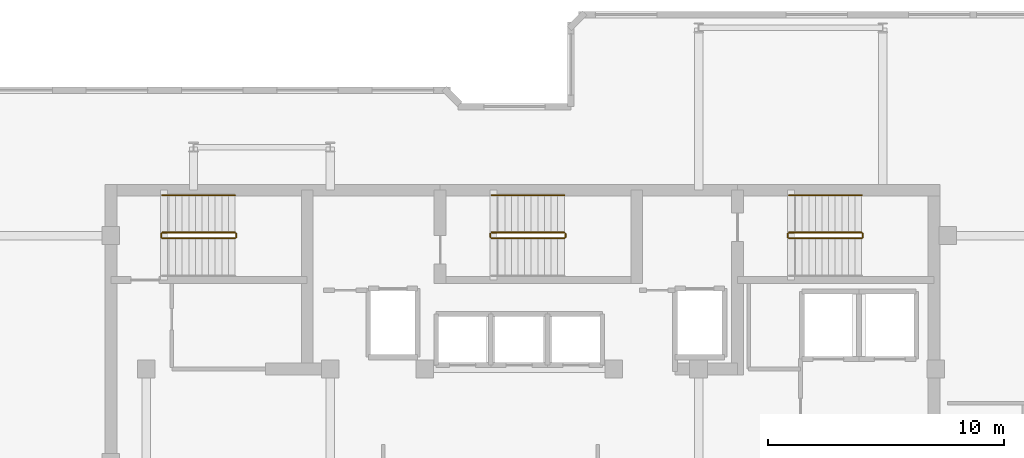
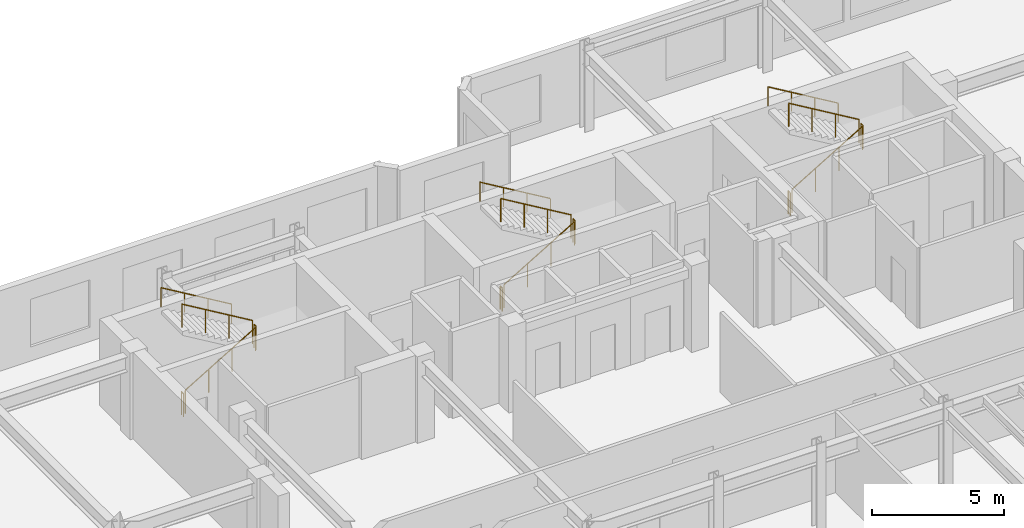
# One storey, part 9 of 9: 15 railings.
"""IFC4 building model written with IfcOpenShell, lengths in metres."""

from ifc_helpers import new_model, si_unit, direction, frame, origin, origin_2d, place, context, subcontext, project, spatial, circle, extrude, material, type_object, element, save


model = new_model("IFC4")

# Units and contexts
model_context = context("Model", 3, precision=1e-05, world=origin(), true_north=direction((0.0, 1.0)))
body_context = subcontext(model_context, "Body", "Model", "MODEL_VIEW")
ifc_project = project(units=[si_unit("LENGTHUNIT", "METRE"), si_unit("AREAUNIT", "SQUARE_METRE"), si_unit("VOLUMEUNIT", "CUBIC_METRE"), si_unit("PLANEANGLEUNIT", "RADIAN"), si_unit("MASSUNIT", "GRAM", prefix="KILO")], contexts=[model_context])

# Site, building, storey
site_placement = place(None, origin())
site = spatial("IfcSite", under=ifc_project, at=site_placement, CompositionType="ELEMENT")
building_placement = place(site_placement, origin())
building = spatial("IfcBuilding", under=site, at=building_placement, Name="Kestravale Grand Hotel", CompositionType="ELEMENT")
storey_placement = place(building_placement, frame((0.0, 0.0, 293.39990234375)))
storey = spatial("IfcBuildingStorey", under=building, at=storey_placement, Name="L73", CompositionType="ELEMENT", Elevation=293.39990234375)

# Railings
ifc_material_1 = material(Name="Painted tubular steel stair well guard", Category="steel")
railing_type_1 = type_object("IfcRailingType", Name="RL-ST-GRD1100", PredefinedType="GUARDRAIL", material=ifc_material_1)
railing_1_placement = place(storey_placement, frame((24.080078125, 38.280029296875, 0.166748046875)))
element("IfcRailing", 1, at=railing_1_placement, inside=storey, type_object=railing_type_1, Name="L73 ST-1 stair guard 1", PredefinedType="GUARDRAIL", context=body_context, shape_type="SweptSolid", body=[
    extrude(circle(Radius=0.02392578125, at=origin_2d()), frame((0.0, 0.0, 1.076171875), z_axis=(0.859290745958, 0.0, 0.51148745235), x_axis=(0.0, 1.0, 0.0)), (0.0, 0.0, 1.0), 3.584228515625),
    extrude(circle(Radius=0.02099609375, at=origin_2d()), origin(), (0.0, 0.0, 1.0), 1.052001953125),
    extrude(circle(Radius=0.02099609375, at=origin_2d()), frame((1.026611328125, 0.0, 0.611083984375)), (0.0, 0.0, 1.0), 1.052001953125),
    extrude(circle(Radius=0.02099609375, at=origin_2d()), frame((2.05322265625, 0.0, 1.22216796875)), (0.0, 0.0, 1.0), 1.052001953125),
    extrude(circle(Radius=0.02099609375, at=origin_2d()), frame((3.079833984375, 0.0, 1.833251953125)), (0.0, 0.0, 1.0), 1.052001953125),
])
railing_2_placement = place(storey_placement, frame((27.2099609375, 38.330078125, 2.0)))
element("IfcRailing", 2, at=railing_2_placement, inside=storey, type_object=railing_type_1, Name="L73 ST-1 stair guard 2", PredefinedType="GUARDRAIL", context=body_context, shape_type="SweptSolid", body=[
    extrude(circle(Radius=0.02392578125, at=origin_2d()), frame((0.0, 0.0, 1.076171875), z_axis=(0.0, 1.0, 0.0), x_axis=(-1.0, 0.0, 0.0)), (0.0, 0.0, 1.0), 0.14990234375),
    extrude(circle(Radius=0.02099609375, at=origin_2d()), origin(), (0.0, 0.0, 1.0), 1.052001953125),
    extrude(circle(Radius=0.02099609375, at=origin_2d()), frame((0.0, 0.14990234375, 0.0)), (0.0, 0.0, 1.0), 1.052001953125),
])
railing_3_placement = place(storey_placement, frame((27.159912109375, 38.530029296875, 2.166748046875)))
element("IfcRailing", 3, at=railing_3_placement, inside=storey, type_object=railing_type_1, Name="L73 ST-1 stair guard 3", PredefinedType="GUARDRAIL", context=body_context, shape_type="SweptSolid", body=[
    extrude(circle(Radius=0.02392578125, at=origin_2d()), frame((0.0, 0.0, 1.076171875), z_axis=(-0.859290745958, 0.0, 0.51148745235), x_axis=(0.0, -1.0, 0.0)), (0.0, 0.0, 1.0), 3.584228515625),
    extrude(circle(Radius=0.02099609375, at=origin_2d()), origin(), (0.0, 0.0, 1.0), 1.052001953125),
    extrude(circle(Radius=0.02099609375, at=origin_2d()), frame((-1.026611328125, 0.0, 0.611083984375)), (0.0, 0.0, 1.0), 1.052001953125),
    extrude(circle(Radius=0.02099609375, at=origin_2d()), frame((-2.05322265625, 0.0, 1.22216796875)), (0.0, 0.0, 1.0), 1.052001953125),
    extrude(circle(Radius=0.02099609375, at=origin_2d()), frame((-3.079833984375, 0.0, 1.833251953125)), (0.0, 0.0, 1.0), 1.052001953125),
])
railing_4_placement = place(storey_placement, frame((24.030029296875, 38.330078125, 0.0)))
element("IfcRailing", 4, at=railing_4_placement, inside=storey, type_object=railing_type_1, Name="L73 ST-1 stair guard 4", PredefinedType="GUARDRAIL", context=body_context, shape_type="SweptSolid", body=[
    extrude(circle(Radius=0.02392578125, at=origin_2d()), frame((0.0, 0.0, 1.076171875), z_axis=(0.0, 1.0, 0.0), x_axis=(-1.0, 0.0, 0.0)), (0.0, 0.0, 1.0), 0.14990234375),
    extrude(circle(Radius=0.02099609375, at=origin_2d()), origin(), (0.0, 0.0, 1.0), 1.052001953125),
    extrude(circle(Radius=0.02099609375, at=origin_2d()), frame((0.0, 0.14990234375, 0.0)), (0.0, 0.0, 1.0), 1.052001953125),
])
railing_5_placement = place(storey_placement, frame((38.030029296875, 38.280029296875, 0.166748046875)))
element("IfcRailing", 5, at=railing_5_placement, inside=storey, type_object=railing_type_1, Name="L73 ST-2 stair guard 1", PredefinedType="GUARDRAIL", context=body_context, shape_type="SweptSolid", body=[
    extrude(circle(Radius=0.02392578125, at=origin_2d()), frame((0.0, 0.0, 1.076171875), z_axis=(0.859308565015, 0.0, 0.511457515432), x_axis=(0.0, 1.0, 0.0)), (0.0, 0.0, 1.0), 3.58447265625),
    extrude(circle(Radius=0.02099609375, at=origin_2d()), origin(), (0.0, 0.0, 1.0), 1.052001953125),
    extrude(circle(Radius=0.02099609375, at=origin_2d()), frame((1.026611328125, 0.0, 0.611083984375)), (0.0, 0.0, 1.0), 1.052001953125),
    extrude(circle(Radius=0.02099609375, at=origin_2d()), frame((2.053466796875, 0.0, 1.22216796875)), (0.0, 0.0, 1.0), 1.052001953125),
    extrude(circle(Radius=0.02099609375, at=origin_2d()), frame((3.080078125, 0.0, 1.833251953125)), (0.0, 0.0, 1.0), 1.052001953125),
])
railing_6_placement = place(storey_placement, frame((41.159912109375, 38.330078125, 2.0)))
element("IfcRailing", 6, at=railing_6_placement, inside=storey, type_object=railing_type_1, Name="L73 ST-2 stair guard 2", PredefinedType="GUARDRAIL", context=body_context, shape_type="SweptSolid", body=[
    extrude(circle(Radius=0.02392578125, at=origin_2d()), frame((0.0, 0.0, 1.076171875), z_axis=(0.0, 1.0, 0.0), x_axis=(-1.0, 0.0, 0.0)), (0.0, 0.0, 1.0), 0.14990234375),
    extrude(circle(Radius=0.02099609375, at=origin_2d()), origin(), (0.0, 0.0, 1.0), 1.052001953125),
    extrude(circle(Radius=0.02099609375, at=origin_2d()), frame((0.0, 0.14990234375, 0.0)), (0.0, 0.0, 1.0), 1.052001953125),
])
railing_7_placement = place(storey_placement, frame((41.110107421875, 38.530029296875, 2.166748046875)))
element("IfcRailing", 7, at=railing_7_placement, inside=storey, type_object=railing_type_1, Name="L73 ST-2 stair guard 3", PredefinedType="GUARDRAIL", context=body_context, shape_type="SweptSolid", body=[
    extrude(circle(Radius=0.02392578125, at=origin_2d()), frame((0.0, 0.0, 1.076171875), z_axis=(-0.859308565015, 0.0, 0.511457515432), x_axis=(0.0, -1.0, 0.0)), (0.0, 0.0, 1.0), 3.58447265625),
    extrude(circle(Radius=0.02099609375, at=origin_2d()), origin(), (0.0, 0.0, 1.0), 1.052001953125),
    extrude(circle(Radius=0.02099609375, at=origin_2d()), frame((-1.026611328125, 0.0, 0.611083984375)), (0.0, 0.0, 1.0), 1.052001953125),
    extrude(circle(Radius=0.02099609375, at=origin_2d()), frame((-2.053466796875, 0.0, 1.22216796875)), (0.0, 0.0, 1.0), 1.052001953125),
    extrude(circle(Radius=0.02099609375, at=origin_2d()), frame((-3.080078125, 0.0, 1.833251953125)), (0.0, 0.0, 1.0), 1.052001953125),
])
railing_8_placement = place(storey_placement, frame((37.97998046875, 38.330078125, 0.0)))
element("IfcRailing", 8, at=railing_8_placement, inside=storey, type_object=railing_type_1, Name="L73 ST-2 stair guard 4", PredefinedType="GUARDRAIL", context=body_context, shape_type="SweptSolid", body=[
    extrude(circle(Radius=0.02392578125, at=origin_2d()), frame((0.0, 0.0, 1.076171875), z_axis=(0.0, 1.0, 0.0), x_axis=(-1.0, 0.0, 0.0)), (0.0, 0.0, 1.0), 0.14990234375),
    extrude(circle(Radius=0.02099609375, at=origin_2d()), origin(), (0.0, 0.0, 1.0), 1.052001953125),
    extrude(circle(Radius=0.02099609375, at=origin_2d()), frame((0.0, 0.14990234375, 0.0)), (0.0, 0.0, 1.0), 1.052001953125),
])
railing_9_placement = place(storey_placement, frame((50.6298828125, 38.280029296875, 0.166748046875)))
element("IfcRailing", 9, at=railing_9_placement, inside=storey, type_object=railing_type_1, Name="L73 ST-3 stair guard 1", PredefinedType="GUARDRAIL", context=body_context, shape_type="SweptSolid", body=[
    extrude(circle(Radius=0.02392578125, at=origin_2d()), frame((0.0, 0.0, 1.076171875), z_axis=(0.859308565015, 0.0, 0.511457515432), x_axis=(0.0, 1.0, 0.0)), (0.0, 0.0, 1.0), 3.58447265625),
    extrude(circle(Radius=0.02099609375, at=origin_2d()), origin(), (0.0, 0.0, 1.0), 1.052001953125),
    extrude(circle(Radius=0.02099609375, at=origin_2d()), frame((1.026611328125, 0.0, 0.611083984375)), (0.0, 0.0, 1.0), 1.052001953125),
    extrude(circle(Radius=0.02099609375, at=origin_2d()), frame((2.053466796875, 0.0, 1.22216796875)), (0.0, 0.0, 1.0), 1.052001953125),
    extrude(circle(Radius=0.02099609375, at=origin_2d()), frame((3.080078125, 0.0, 1.833251953125)), (0.0, 0.0, 1.0), 1.052001953125),
])
railing_10_placement = place(storey_placement, frame((53.760009765625, 38.330078125, 2.0)))
element("IfcRailing", 10, at=railing_10_placement, inside=storey, type_object=railing_type_1, Name="L73 ST-3 stair guard 2", PredefinedType="GUARDRAIL", context=body_context, shape_type="SweptSolid", body=[
    extrude(circle(Radius=0.02392578125, at=origin_2d()), frame((0.0, 0.0, 1.076171875), z_axis=(0.0, 1.0, 0.0), x_axis=(-1.0, 0.0, 0.0)), (0.0, 0.0, 1.0), 0.14990234375),
    extrude(circle(Radius=0.02099609375, at=origin_2d()), origin(), (0.0, 0.0, 1.0), 1.052001953125),
    extrude(circle(Radius=0.02099609375, at=origin_2d()), frame((0.0, 0.14990234375, 0.0)), (0.0, 0.0, 1.0), 1.052001953125),
])
railing_11_placement = place(storey_placement, frame((53.7099609375, 38.530029296875, 2.166748046875)))
element("IfcRailing", 11, at=railing_11_placement, inside=storey, type_object=railing_type_1, Name="L73 ST-3 stair guard 3", PredefinedType="GUARDRAIL", context=body_context, shape_type="SweptSolid", body=[
    extrude(circle(Radius=0.02392578125, at=origin_2d()), frame((0.0, 0.0, 1.076171875), z_axis=(-0.859308565015, 0.0, 0.511457515432), x_axis=(0.0, -1.0, 0.0)), (0.0, 0.0, 1.0), 3.58447265625),
    extrude(circle(Radius=0.02099609375, at=origin_2d()), origin(), (0.0, 0.0, 1.0), 1.052001953125),
    extrude(circle(Radius=0.02099609375, at=origin_2d()), frame((-1.026611328125, 0.0, 0.611083984375)), (0.0, 0.0, 1.0), 1.052001953125),
    extrude(circle(Radius=0.02099609375, at=origin_2d()), frame((-2.053466796875, 0.0, 1.22216796875)), (0.0, 0.0, 1.0), 1.052001953125),
    extrude(circle(Radius=0.02099609375, at=origin_2d()), frame((-3.080078125, 0.0, 1.833251953125)), (0.0, 0.0, 1.0), 1.052001953125),
])
railing_12_placement = place(storey_placement, frame((50.580078125, 38.330078125, 0.0)))
element("IfcRailing", 12, at=railing_12_placement, inside=storey, type_object=railing_type_1, Name="L73 ST-3 stair guard 4", PredefinedType="GUARDRAIL", context=body_context, shape_type="SweptSolid", body=[
    extrude(circle(Radius=0.02392578125, at=origin_2d()), frame((0.0, 0.0, 1.076171875), z_axis=(0.0, 1.0, 0.0), x_axis=(-1.0, 0.0, 0.0)), (0.0, 0.0, 1.0), 0.14990234375),
    extrude(circle(Radius=0.02099609375, at=origin_2d()), origin(), (0.0, 0.0, 1.0), 1.052001953125),
    extrude(circle(Radius=0.02099609375, at=origin_2d()), frame((0.0, 0.14990234375, 0.0)), (0.0, 0.0, 1.0), 1.052001953125),
])
ifc_material_2 = material(Name="Brushed stainless steel wall handrail", Category="steel")
railing_type_2 = type_object("IfcRailingType", Name="RL-ST-HND900", PredefinedType="HANDRAIL", material=ifc_material_2)
railing_13_placement = place(storey_placement, frame((27.159912109375, 40.110107421875, 2.166748046875)))
element("IfcRailing", 13, at=railing_13_placement, inside=storey, type_object=railing_type_2, Name="L73 ST-1 stair handrail 2", PredefinedType="HANDRAIL", context=body_context, shape_type="SweptSolid", body=[
    extrude(circle(Radius=0.02392578125, at=origin_2d()), frame((0.0, 0.0, 0.8759765625), z_axis=(-0.859290745958, 0.0, 0.51148745235), x_axis=(0.0, -1.0, 0.0)), (0.0, 0.0, 1.0), 3.584228515625),
    extrude(circle(Radius=0.02099609375, at=origin_2d()), origin(), (0.0, 0.0, 1.0), 0.851806640625),
    extrude(circle(Radius=0.02099609375, at=origin_2d()), frame((-1.026611328125, 0.0, 0.611083984375)), (0.0, 0.0, 1.0), 0.851806640625),
    extrude(circle(Radius=0.02099609375, at=origin_2d()), frame((-2.05322265625, 0.0, 1.22216796875)), (0.0, 0.0, 1.0), 0.851806640625),
    extrude(circle(Radius=0.02099609375, at=origin_2d()), frame((-3.079833984375, 0.0, 1.833251953125)), (0.0, 0.0, 1.0), 0.851806640625),
])
for number, where, name in (
    (14, (41.110107421875, 40.110107421875, 2.166748046875), "L73 ST-2 stair handrail 2"),
    (15, (53.7099609375, 40.110107421875, 2.166748046875), "L73 ST-3 stair handrail 2"),
):
    element("IfcRailing", number, at=place(storey_placement, frame(where)), inside=storey, type_object=railing_type_2, Name=name, PredefinedType="HANDRAIL", context=body_context, shape_type="SweptSolid", body=[
        extrude(circle(Radius=0.02392578125, at=origin_2d()), frame((0.0, 0.0, 0.8759765625), z_axis=(-0.859308565015, 0.0, 0.511457515432), x_axis=(0.0, -1.0, 0.0)), (0.0, 0.0, 1.0), 3.58447265625),
        extrude(circle(Radius=0.02099609375, at=origin_2d()), origin(), (0.0, 0.0, 1.0), 0.851806640625),
        extrude(circle(Radius=0.02099609375, at=origin_2d()), frame((-1.026611328125, 0.0, 0.611083984375)), (0.0, 0.0, 1.0), 0.851806640625),
        extrude(circle(Radius=0.02099609375, at=origin_2d()), frame((-2.053466796875, 0.0, 1.22216796875)), (0.0, 0.0, 1.0), 0.851806640625),
        extrude(circle(Radius=0.02099609375, at=origin_2d()), frame((-3.080078125, 0.0, 1.833251953125)), (0.0, 0.0, 1.0), 0.851806640625),
    ])

save(model, "model.ifc")
